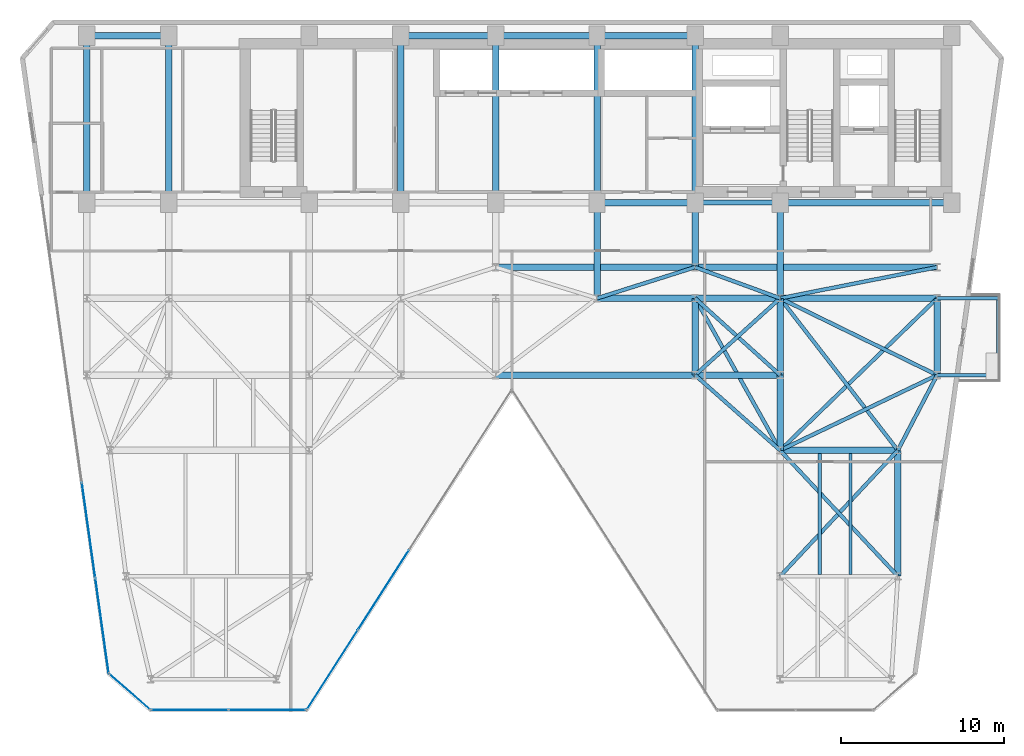
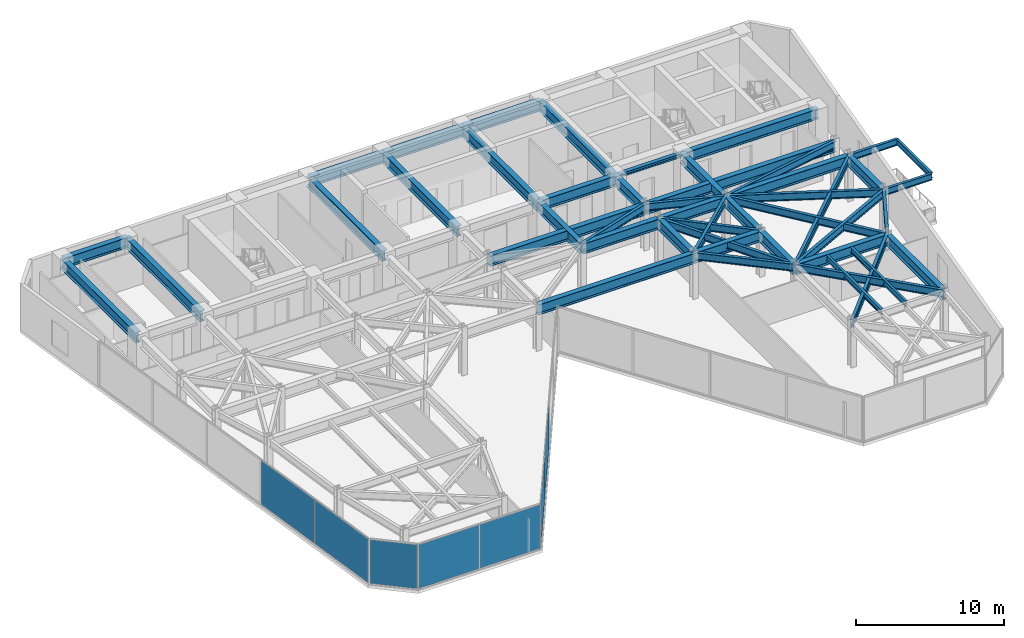
# One storey, part 20 of 26: 48 beams, 7 plates, 4 elements without a shape of their own.
"""IFC4 building model written with IfcOpenShell, lengths in metres."""

from ifc_helpers import new_model, si_unit, direction, frame, origin, origin_2d, place, context, subcontext, project, spatial, rectangle, i_section, extrude, material, layer, layer_set, material_profile, profile_set, type_object, element, aggregate, save


model = new_model("IFC4")

# Units and contexts
model_context = context("Model", 3, precision=1e-05, world=origin(), true_north=direction((0.0, 1.0)))
body_context = subcontext(model_context, "Body", "Model", "MODEL_VIEW")
ifc_project = project(units=[si_unit("LENGTHUNIT", "METRE"), si_unit("AREAUNIT", "SQUARE_METRE"), si_unit("VOLUMEUNIT", "CUBIC_METRE"), si_unit("PLANEANGLEUNIT", "RADIAN"), si_unit("MASSUNIT", "GRAM", prefix="KILO")], contexts=[model_context])

# Site, building, storey
site_placement = place(None, origin())
site = spatial("IfcSite", under=ifc_project, at=site_placement, CompositionType="ELEMENT")
building_placement = place(site_placement, origin())
building = spatial("IfcBuilding", under=site, at=building_placement, Name="Kravanh Interchange Tower", CompositionType="ELEMENT")
storey_placement = place(building_placement, frame((0.0, 0.0, 120.0)))
storey = spatial("IfcBuildingStorey", under=building, at=storey_placement, Name="L28", CompositionType="ELEMENT", Elevation=120.0)

# Beams
ifc_material_1 = material(Name="Structural Steel S355", Category="steel")
ifc_material_profile_1 = material_profile(ifc_material_1, i_section(OverallWidth=0.39990234375, OverallDepth=0.85595703125, WebThickness=0.018310546875, FlangeThickness=0.029296875, FilletRadius=0.02490234375, at=origin_2d()), Name="W33X201")
ifc_profile_set_1 = profile_set([ifc_material_profile_1], Name="Structural Steel S355")
beam_type_1 = type_object("IfcBeamType", Name="Floor Beam W33X201 Structural Steel S355", PredefinedType="BEAM", material=ifc_profile_set_1)
beam_1_placement = place(storey_placement, frame((66.5, 37.35009765625, 3.322021484375), z_axis=(-1.0, 0.0, 0.0), x_axis=(0.0, -1.0, 0.0)))
element("IfcBeam", 1, at=beam_1_placement, inside=storey, type_object=beam_type_1, Name="L28 Primary Floor Girder 5", PredefinedType="BEAM", context=body_context, shape_type="SweptSolid", body=[
    extrude(i_section(OverallWidth=0.39990234375, OverallDepth=0.85595703125, WebThickness=0.018310546875, FlangeThickness=0.029296875, FilletRadius=0.02490234375, at=origin_2d()), origin(), (0.0, 0.0, 1.0), 10.5),
])
beam_2_placement = place(storey_placement, frame((56.0, 37.35009765625, 3.322021484375), z_axis=(0.0, -1.0, 0.0), x_axis=(1.0, 0.0, 0.0)))
element("IfcBeam", 2, at=beam_2_placement, inside=storey, type_object=beam_type_1, Name="L28 Primary Floor Girder 7", PredefinedType="BEAM", context=body_context, shape_type="SweptSolid", body=[
    extrude(i_section(OverallWidth=0.39990234375, OverallDepth=0.85595703125, WebThickness=0.018310546875, FlangeThickness=0.029296875, FilletRadius=0.02490234375, at=origin_2d()), origin(), (0.0, 0.0, 1.0), 5.85009765625),
])
beam_3_placement = place(storey_placement, frame((50.800048828125, 47.550048828125, 3.322021484375), z_axis=(-1.0, 0.0, 0.0), x_axis=(0.0, -1.0, 0.0)))
element("IfcBeam", 3, at=beam_3_placement, inside=storey, type_object=beam_type_1, Name="L28 Primary Floor Girder 8", PredefinedType="BEAM", context=body_context, shape_type="SweptSolid", body=[
    extrude(i_section(OverallWidth=0.39990234375, OverallDepth=0.85595703125, WebThickness=0.018310546875, FlangeThickness=0.029296875, FilletRadius=0.02490234375, at=origin_2d()), origin(), (0.0, 0.0, 1.0), 6.0),
])
beam_4_placement = place(storey_placement, frame((50.800048828125, 47.550048828125, 3.322021484375), z_axis=(0.0, -1.0, 0.0), x_axis=(1.0, 0.0, 0.0)))
element("IfcBeam", 4, at=beam_4_placement, inside=storey, type_object=beam_type_1, Name="L28 Primary Floor Girder 9", PredefinedType="BEAM", context=body_context, shape_type="SweptSolid", body=[
    extrude(i_section(OverallWidth=0.39990234375, OverallDepth=0.85595703125, WebThickness=0.018310546875, FlangeThickness=0.029296875, FilletRadius=0.02490234375, at=origin_2d()), origin(), (0.0, 0.0, 1.0), 10.199951171875),
])
beam_5_placement = place(storey_placement, frame((50.800048828125, 37.35009765625, 3.322021484375), z_axis=(0.0, -1.0, 0.0), x_axis=(1.0, 0.0, 0.0)))
element("IfcBeam", 5, at=beam_5_placement, inside=storey, type_object=beam_type_1, Name="L28 Primary Floor Girder 10", PredefinedType="BEAM", context=body_context, shape_type="SweptSolid", body=[
    extrude(i_section(OverallWidth=0.39990234375, OverallDepth=0.85595703125, WebThickness=0.018310546875, FlangeThickness=0.029296875, FilletRadius=0.02490234375, at=origin_2d()), origin(), (0.0, 0.0, 1.0), 3.9501953125),
])
beam_6_placement = place(storey_placement, frame((50.800048828125, 37.35009765625, 3.322021484375), z_axis=(-1.0, 0.0, 0.0), x_axis=(0.0, -1.0, 0.0)))
element("IfcBeam", 6, at=beam_6_placement, inside=storey, type_object=beam_type_1, Name="L28 Primary Floor Girder 11", PredefinedType="BEAM", context=body_context, shape_type="SweptSolid", body=[
    extrude(i_section(OverallWidth=0.39990234375, OverallDepth=0.85595703125, WebThickness=0.018310546875, FlangeThickness=0.029296875, FilletRadius=0.02490234375, at=origin_2d()), origin(), (0.0, 0.0, 1.0), 6.0),
])
beam_7_placement = place(storey_placement, frame((44.800048828125, 37.35009765625, 3.322021484375), z_axis=(0.0, -1.0, 0.0), x_axis=(1.0, 0.0, 0.0)))
element("IfcBeam", 7, at=beam_7_placement, inside=storey, type_object=beam_type_1, Name="L28 Primary Floor Girder 12", PredefinedType="BEAM", context=body_context, shape_type="SweptSolid", body=[
    extrude(i_section(OverallWidth=0.39990234375, OverallDepth=0.85595703125, WebThickness=0.018310546875, FlangeThickness=0.029296875, FilletRadius=0.02490234375, at=origin_2d()), origin(), (0.0, 0.0, 1.0), 5.85009765625),
])
beam_8_placement = place(storey_placement, frame((44.800048828125, 37.35009765625, 3.322021484375), z_axis=(0.0, 1.0, 0.0), x_axis=(-1.0, 0.0, 0.0)))
element("IfcBeam", 8, at=beam_8_placement, inside=storey, type_object=beam_type_1, Name="L28 Primary Floor Girder 14", PredefinedType="BEAM", context=body_context, shape_type="SweptSolid", body=[
    extrude(i_section(OverallWidth=0.39990234375, OverallDepth=0.85595703125, WebThickness=0.018310546875, FlangeThickness=0.029296875, FilletRadius=0.02490234375, at=origin_2d()), origin(), (0.0, 0.0, 1.0), 10.199951171875),
])
beam_9_placement = place(storey_placement, frame((44.800048828125, 47.550048828125, 3.322021484375), z_axis=(-1.0, 0.0, 0.0), x_axis=(0.0, -1.0, 0.0)))
element("IfcBeam", 9, at=beam_9_placement, inside=storey, type_object=beam_type_1, Name="L28 Primary Floor Girder 15", PredefinedType="BEAM", context=body_context, shape_type="SweptSolid", body=[
    extrude(i_section(OverallWidth=0.39990234375, OverallDepth=0.85595703125, WebThickness=0.018310546875, FlangeThickness=0.029296875, FilletRadius=0.02490234375, at=origin_2d()), origin(), (0.0, 0.0, 1.0), 6.199951171875),
])
beam_10_placement = place(storey_placement, frame((38.60009765625, 37.35009765625, 3.322021484375), z_axis=(0.0, 1.0, 0.0), x_axis=(-1.0, 0.0, 0.0)))
element("IfcBeam", 10, at=beam_10_placement, inside=storey, type_object=beam_type_1, Name="L28 Primary Floor Girder 18", PredefinedType="BEAM", context=body_context, shape_type="SweptSolid", body=[
    extrude(i_section(OverallWidth=0.39990234375, OverallDepth=0.85595703125, WebThickness=0.018310546875, FlangeThickness=0.029296875, FilletRadius=0.02490234375, at=origin_2d()), origin(), (0.0, 0.0, 1.0), 10.199951171875),
])
beam_11_placement = place(storey_placement, frame((38.60009765625, 47.550048828125, 3.322021484375), z_axis=(-1.0, 0.0, 0.0), x_axis=(0.0, -1.0, 0.0)))
element("IfcBeam", 11, at=beam_11_placement, inside=storey, type_object=beam_type_1, Name="L28 Primary Floor Girder 19", PredefinedType="BEAM", context=body_context, shape_type="SweptSolid", body=[
    extrude(i_section(OverallWidth=0.39990234375, OverallDepth=0.85595703125, WebThickness=0.018310546875, FlangeThickness=0.029296875, FilletRadius=0.02490234375, at=origin_2d()), origin(), (0.0, 0.0, 1.0), 5.800048828125),
])
for number, where, z_axis, x_axis, name in (
    (12, (32.800048828125, 37.35009765625, 3.322021484375), (0.0, 1.0, 0.0), (-1.0, 0.0, 0.0), "L28 Primary Floor Girder 22"),
    (13, (18.60009765625, 37.35009765625, 3.322021484375), (0.0, 1.0, 0.0), (-1.0, 0.0, 0.0), "L28 Primary Floor Girder 30"),
):
    element("IfcBeam", number, at=place(storey_placement, frame(where, z_axis=z_axis, x_axis=x_axis)), inside=storey, type_object=beam_type_1, Name=name, PredefinedType="BEAM", context=body_context, shape_type="SweptSolid", body=[
        extrude(i_section(OverallWidth=0.39990234375, OverallDepth=0.85595703125, WebThickness=0.018310546875, FlangeThickness=0.029296875, FilletRadius=0.02490234375, at=origin_2d()), origin(), (0.0, 0.0, 1.0), 10.199951171875),
    ])
beam_12_placement = place(storey_placement, frame((18.60009765625, 47.550048828125, 3.322021484375), z_axis=(-1.0, 0.0, 0.0), x_axis=(0.0, -1.0, 0.0)))
element("IfcBeam", 14, at=beam_12_placement, inside=storey, type_object=beam_type_1, Name="L28 Primary Floor Girder 31", PredefinedType="BEAM", context=body_context, shape_type="SweptSolid", body=[
    extrude(i_section(OverallWidth=0.39990234375, OverallDepth=0.85595703125, WebThickness=0.018310546875, FlangeThickness=0.029296875, FilletRadius=0.02490234375, at=origin_2d()), origin(), (0.0, 0.0, 1.0), 5.0),
])
beam_13_placement = place(storey_placement, frame((13.60009765625, 37.35009765625, 3.322021484375), z_axis=(0.0, 1.0, 0.0), x_axis=(-1.0, 0.0, 0.0)))
element("IfcBeam", 15, at=beam_13_placement, inside=storey, type_object=beam_type_1, Name="L28 Primary Floor Girder 33", PredefinedType="BEAM", context=body_context, shape_type="SweptSolid", body=[
    extrude(i_section(OverallWidth=0.39990234375, OverallDepth=0.85595703125, WebThickness=0.018310546875, FlangeThickness=0.029296875, FilletRadius=0.02490234375, at=origin_2d()), origin(), (0.0, 0.0, 1.0), 10.199951171875),
])
beam_14_placement = place(storey_placement, frame((38.60009765625, 26.800048828125, 3.322021484375), z_axis=(1.0, 0.0, 0.0), x_axis=(0.0, 1.0, 0.0)))
element("IfcBeam", 16, at=beam_14_placement, inside=storey, type_object=beam_type_1, Name="L28 Primary Floor Girder 56", PredefinedType="BEAM", context=body_context, shape_type="SweptSolid", body=[
    extrude(i_section(OverallWidth=0.39990234375, OverallDepth=0.85595703125, WebThickness=0.018310546875, FlangeThickness=0.029296875, FilletRadius=0.02490234375, at=origin_2d()), origin(), (0.0, 0.0, 1.0), 12.199951171875),
])
beam_15_placement = place(storey_placement, frame((50.800048828125, 26.800048828125, 3.322021484375), z_axis=(0.0, 1.0, 0.0), x_axis=(-1.0, 0.0, 0.0)))
element("IfcBeam", 17, at=beam_15_placement, inside=storey, type_object=beam_type_1, Name="L28 Primary Floor Girder 57", PredefinedType="BEAM", context=body_context, shape_type="SweptSolid", body=[
    extrude(i_section(OverallWidth=0.39990234375, OverallDepth=0.85595703125, WebThickness=0.018310546875, FlangeThickness=0.029296875, FilletRadius=0.02490234375, at=origin_2d()), origin(), (0.0, 0.0, 1.0), 4.699951171875),
])
beam_16_placement = place(storey_placement, frame((50.800048828125, 26.800048828125, 3.322021484375), z_axis=(1.0, 0.0, 0.0), x_axis=(0.0, 1.0, 0.0)))
element("IfcBeam", 18, at=beam_16_placement, inside=storey, type_object=beam_type_1, Name="L28 Primary Floor Girder 58", PredefinedType="BEAM", context=body_context, shape_type="SweptSolid", body=[
    extrude(i_section(OverallWidth=0.39990234375, OverallDepth=0.85595703125, WebThickness=0.018310546875, FlangeThickness=0.029296875, FilletRadius=0.02490234375, at=origin_2d()), origin(), (0.0, 0.0, 1.0), 5.199951171875),
])
beam_17_placement = place(storey_placement, frame((56.0, 26.800048828125, 3.322021484375), z_axis=(0.0, -1.0, 0.0), x_axis=(1.0, 0.0, 0.0)))
element("IfcBeam", 19, at=beam_17_placement, inside=storey, type_object=beam_type_1, Name="L28 Primary Floor Girder 61", PredefinedType="BEAM", context=body_context, shape_type="SweptSolid", body=[
    extrude(i_section(OverallWidth=0.39990234375, OverallDepth=0.85595703125, WebThickness=0.018310546875, FlangeThickness=0.029296875, FilletRadius=0.02490234375, at=origin_2d()), origin(), (0.0, 0.0, 1.0), 4.60009765625),
])
for number, where, z_axis, x_axis, name in (
    (20, (56.0, 26.800048828125, 3.322021484375), (0.0, 1.0, 0.0), (-1.0, 0.0, 0.0), "L28 Primary Floor Girder 62"),
    (21, (65.60009765625, 26.800048828125, 3.322021484375), (0.0, 1.0, 0.0), (-1.0, 0.0, 0.0), "L28 Primary Floor Girder 65"),
):
    element("IfcBeam", number, at=place(storey_placement, frame(where, z_axis=z_axis, x_axis=x_axis)), inside=storey, type_object=beam_type_1, Name=name, PredefinedType="BEAM", context=body_context, shape_type="SweptSolid", body=[
        extrude(i_section(OverallWidth=0.39990234375, OverallDepth=0.85595703125, WebThickness=0.018310546875, FlangeThickness=0.029296875, FilletRadius=0.02490234375, at=origin_2d()), origin(), (0.0, 0.0, 1.0), 4.699951171875),
    ])
beam_18_placement = place(storey_placement, frame((44.800048828125, 31.5, 3.322021484375), z_axis=(1.0, 0.0, 0.0), x_axis=(0.0, 1.0, 0.0)))
element("IfcBeam", 22, at=beam_18_placement, inside=storey, type_object=beam_type_1, Name="L28 Primary Floor Girder 83", PredefinedType="BEAM", context=body_context, shape_type="SweptSolid", body=[
    extrude(i_section(OverallWidth=0.39990234375, OverallDepth=0.85595703125, WebThickness=0.018310546875, FlangeThickness=0.029296875, FilletRadius=0.02490234375, at=origin_2d()), origin(), (0.0, 0.0, 1.0), 6.0),
])
beam_19_placement = place(storey_placement, frame((50.800048828125, 31.5, 3.322021484375), z_axis=(1.0, 0.0, 0.0), x_axis=(0.0, 1.0, 0.0)))
element("IfcBeam", 23, at=beam_19_placement, inside=storey, type_object=beam_type_1, Name="L28 Primary Floor Girder 86", PredefinedType="BEAM", context=body_context, shape_type="SweptSolid", body=[
    extrude(i_section(OverallWidth=0.39990234375, OverallDepth=0.85595703125, WebThickness=0.018310546875, FlangeThickness=0.029296875, FilletRadius=0.02490234375, at=origin_2d()), origin(), (0.0, 0.0, 1.0), 5.199951171875),
])
beam_20_placement = place(storey_placement, frame((56.0, 31.5, 3.322021484375), z_axis=(1.0, 0.0, 0.0), x_axis=(0.0, 1.0, 0.0)))
element("IfcBeam", 24, at=beam_20_placement, inside=storey, type_object=beam_type_1, Name="L28 Primary Floor Girder 90", PredefinedType="BEAM", context=body_context, shape_type="SweptSolid", body=[
    extrude(i_section(OverallWidth=0.39990234375, OverallDepth=0.85595703125, WebThickness=0.018310546875, FlangeThickness=0.029296875, FilletRadius=0.02490234375, at=origin_2d()), origin(), (0.0, 0.0, 1.0), 9.60009765625),
])
beam_21_placement = place(storey_placement, frame((63.199951171875, 14.5, 3.322021484375), z_axis=(0.0, 1.0, 0.0), x_axis=(-1.0, 0.0, 0.0)))
element("IfcBeam", 25, at=beam_21_placement, inside=storey, type_object=beam_type_1, Name="L28 Primary Floor Girder 106", PredefinedType="BEAM", context=body_context, shape_type="SweptSolid", body=[
    extrude(i_section(OverallWidth=0.39990234375, OverallDepth=0.85595703125, WebThickness=0.018310546875, FlangeThickness=0.029296875, FilletRadius=0.02490234375, at=origin_2d()), origin(), (0.0, 0.0, 1.0), 7.699951171875),
])
beam_22_placement = place(storey_placement, frame((56.0, 22.199951171875, 3.322021484375), z_axis=(1.0, 0.0, 0.0), x_axis=(0.0, 1.0, 0.0)))
element("IfcBeam", 26, at=beam_22_placement, inside=storey, type_object=beam_type_1, Name="L28 Primary Floor Girder 109", PredefinedType="BEAM", context=body_context, shape_type="SweptSolid", body=[
    extrude(i_section(OverallWidth=0.39990234375, OverallDepth=0.85595703125, WebThickness=0.018310546875, FlangeThickness=0.029296875, FilletRadius=0.02490234375, at=origin_2d()), origin(), (0.0, 0.0, 1.0), 7.199951171875),
])
beam_23_placement = place(storey_placement, frame((38.60009765625, 33.39990234375, 3.322021484375), z_axis=(1.0, 0.0, 0.0), x_axis=(0.0, 1.0, 0.0)))
element("IfcBeam", 27, at=beam_23_placement, inside=storey, type_object=beam_type_1, Name="L28 Primary Floor Girder 111", PredefinedType="BEAM", context=body_context, shape_type="SweptSolid", body=[
    extrude(i_section(OverallWidth=0.39990234375, OverallDepth=0.85595703125, WebThickness=0.018310546875, FlangeThickness=0.029296875, FilletRadius=0.02490234375, at=origin_2d()), origin(), (0.0, 0.0, 1.0), 12.199951171875),
])
beam_24_placement = place(storey_placement, frame((50.800048828125, 33.39990234375, 3.322021484375), z_axis=(1.0, 0.0, 0.0), x_axis=(0.0, 1.0, 0.0)))
element("IfcBeam", 28, at=beam_24_placement, inside=storey, type_object=beam_type_1, Name="L28 Primary Floor Girder 112", PredefinedType="BEAM", context=body_context, shape_type="SweptSolid", body=[
    extrude(i_section(OverallWidth=0.39990234375, OverallDepth=0.85595703125, WebThickness=0.018310546875, FlangeThickness=0.029296875, FilletRadius=0.02490234375, at=origin_2d()), origin(), (0.0, 0.0, 1.0), 14.800048828125),
])
ifc_material_2 = material(Name="Structural Steel S355", Category="steel")
ifc_material_profile_2 = material_profile(ifc_material_2, i_section(OverallWidth=0.18994140625, OverallDepth=0.45703125, WebThickness=0.009033203125, FlangeThickness=0.014404296875, FilletRadius=0.01806640625, at=origin_2d()), Name="W18X50")
ifc_profile_set_2 = profile_set([ifc_material_profile_2], Name="Structural Steel S355")
beam_type_2 = type_object("IfcBeamType", Name="Floor Joist W18X50 Structural Steel S355", PredefinedType="JOIST", material=ifc_profile_set_2)
for number, where, z_axis, x_axis, name in (
    (29, (58.419921875, 14.60888671875, 3.521484375), (0.0, 1.0, 0.0), (-1.0, 0.0, 0.0), "L28 Secondary Floor Joist 7"),
    (30, (60.30810546875, 14.60888671875, 3.521484375), (0.0, 1.0, 0.0), (-1.0, 0.0, 0.0), "L28 Secondary Floor Joist 8"),
):
    element("IfcBeam", number, at=place(storey_placement, frame(where, z_axis=z_axis, x_axis=x_axis)), inside=storey, type_object=beam_type_2, Name=name, PredefinedType="JOIST", context=body_context, shape_type="SweptSolid", body=[
        extrude(i_section(OverallWidth=0.18994140625, OverallDepth=0.45703125, WebThickness=0.009033203125, FlangeThickness=0.014404296875, FilletRadius=0.01806640625, at=origin_2d()), origin(), (0.0, 0.0, 1.0), 7.39599609375),
    ])
beam_25_placement = place(storey_placement, frame((69.330078125, 26.800048828125, 3.521484375), z_axis=(0.0, 1.0, 0.0), x_axis=(-1.0, 0.0, 0.0)))
element("IfcBeam", 31, at=beam_25_placement, inside=storey, type_object=beam_type_2, Name="L28 Balcony Edge Tie Beam E", PredefinedType="JOIST", context=body_context, shape_type="SweptSolid", body=[
    extrude(i_section(OverallWidth=0.18994140625, OverallDepth=0.45703125, WebThickness=0.009033203125, FlangeThickness=0.014404296875, FilletRadius=0.01806640625, at=origin_2d()), origin(), (0.0, 0.0, 1.0), 4.699951171875),
])
ifc_material_3 = material(Name="Structural Steel S355", Category="steel")
ifc_material_profile_3 = material_profile(ifc_material_3, i_section(OverallWidth=0.304931640625, OverallDepth=0.306884765625, WebThickness=0.010009765625, FlangeThickness=0.015380859375, FilletRadius=0.014892578125, at=origin_2d()), Name="W12X65")
ifc_profile_set_3 = profile_set([ifc_material_profile_3], Name="Structural Steel S355")
beam_type_3 = type_object("IfcBeamType", Name="Floor Lintel W12X65 Structural Steel S355", PredefinedType="LINTEL", material=ifc_profile_set_3)
beam_26_placement = place(storey_placement, frame((50.800048828125, 37.35009765625, 3.596435546875), z_axis=(1.0, 0.0, 0.0), x_axis=(0.0, 1.0, 0.0)))
element("IfcBeam", 32, at=beam_26_placement, inside=storey, type_object=beam_type_3, Name="L28 Core Coupling Lintel 1", PredefinedType="LINTEL", context=body_context, shape_type="SweptSolid", body=[
    extrude(i_section(OverallWidth=0.304931640625, OverallDepth=0.306884765625, WebThickness=0.010009765625, FlangeThickness=0.015380859375, FilletRadius=0.014892578125, at=origin_2d()), origin(), (0.0, 0.0, 1.0), 5.199951171875),
])
ifc_material_4 = material(Name="Structural Steel S355", Category="steel")
ifc_material_profile_4 = material_profile(ifc_material_4, i_section(OverallWidth=0.2099609375, OverallDepth=0.537109375, WebThickness=0.010986328125, FlangeThickness=0.017333984375, FilletRadius=0.02001953125, at=origin_2d()), Name="W21X68")
ifc_profile_set_4 = profile_set([ifc_material_profile_4], Name="Structural Steel S355")
beam_type_4 = type_object("IfcBeamType", Name="Floor Spandrel W21X68 Structural Steel S355", PredefinedType="SPANDREL", material=ifc_profile_set_4)
for number, where, z_axis, x_axis, name in (
    (33, (65.60009765625, 26.800048828125, 3.4814453125), (1.0, 0.0, 0.0), (0.0, 1.0, 0.0), "L28 Balcony Cantilever Outrigger E1"),
    (34, (65.60009765625, 31.5, 3.4814453125), (1.0, 0.0, 0.0), (0.0, 1.0, 0.0), "L28 Balcony Cantilever Outrigger E2"),
):
    element("IfcBeam", number, at=place(storey_placement, frame(where, z_axis=z_axis, x_axis=x_axis)), inside=storey, type_object=beam_type_4, Name=name, PredefinedType="SPANDREL", context=body_context, shape_type="SweptSolid", body=[
        extrude(i_section(OverallWidth=0.2099609375, OverallDepth=0.537109375, WebThickness=0.010986328125, FlangeThickness=0.017333984375, FilletRadius=0.02001953125, at=origin_2d()), origin(), (0.0, 0.0, 1.0), 3.72998046875),
    ])
ifc_material_5 = material(Name="Structural Steel S355", Category="steel")
ifc_material_profile_5 = material_profile(ifc_material_5, i_section(OverallWidth=0.22802734375, OverallDepth=0.60791015625, WebThickness=0.01123046875, FlangeThickness=0.017333984375, FilletRadius=0.02197265625, at=origin_2d()), Name="W24X76")
ifc_profile_set_5 = profile_set([ifc_material_profile_5], Name="Structural Steel S355")
beam_type_5 = type_object("IfcBeamType", Name="Floor Spandrel W24X76 Structural Steel S355", PredefinedType="SPANDREL", material=ifc_profile_set_5)
beam_27_placement = place(storey_placement, frame((50.800048828125, 26.800048828125, 3.446044921875), z_axis=(0.74898649432, -0.662585263439, 0.0), x_axis=(0.662585263439, 0.74898649432, 0.0)))
element("IfcBeam", 35, at=beam_27_placement, inside=storey, type_object=beam_type_5, Name="L28 Perimeter Spandrel 59", PredefinedType="SPANDREL", context=body_context, shape_type="SweptSolid", body=[
    extrude(i_section(OverallWidth=0.22802734375, OverallDepth=0.60791015625, WebThickness=0.01123046875, FlangeThickness=0.017333984375, FilletRadius=0.02197265625, at=origin_2d()), origin(), (0.0, 0.0, 1.0), 6.942626953125),
])
for number, where, z_axis, x_axis, name in (
    (36, (50.800048828125, 26.800048828125, 3.446044921875), (0.741874009795, 0.670539300557, 0.0), (-0.670539300557, 0.741874009795, 0.0), "L28 Perimeter Spandrel 60"),
    (37, (56.0, 26.800048828125, 3.446044921875), (-0.741874009795, 0.670539300557, 0.0), (-0.670539300557, -0.741874009795, 0.0), "L28 Perimeter Spandrel 63"),
):
    element("IfcBeam", number, at=place(storey_placement, frame(where, z_axis=z_axis, x_axis=x_axis)), inside=storey, type_object=beam_type_5, Name=name, PredefinedType="SPANDREL", context=body_context, shape_type="SweptSolid", body=[
        extrude(i_section(OverallWidth=0.22802734375, OverallDepth=0.60791015625, WebThickness=0.01123046875, FlangeThickness=0.017333984375, FilletRadius=0.02197265625, at=origin_2d()), origin(), (0.0, 0.0, 1.0), 7.00927734375),
    ])
beam_28_placement = place(storey_placement, frame((65.60009765625, 26.800048828125, 3.446044921875), z_axis=(-0.462580479178, -0.886577295155, 0.0), x_axis=(0.886577295155, -0.462580479178, 0.0)))
element("IfcBeam", 38, at=beam_28_placement, inside=storey, type_object=beam_type_5, Name="L28 Perimeter Spandrel 66", PredefinedType="SPANDREL", context=body_context, shape_type="SweptSolid", body=[
    extrude(i_section(OverallWidth=0.22802734375, OverallDepth=0.60791015625, WebThickness=0.01123046875, FlangeThickness=0.017333984375, FilletRadius=0.02197265625, at=origin_2d()), origin(), (0.0, 0.0, 1.0), 5.188720703125),
])
beam_29_placement = place(storey_placement, frame((65.60009765625, 26.800048828125, 3.446044921875), z_axis=(-0.901814166789, -0.432124066188, 0.0), x_axis=(0.432124066188, -0.901814166789, 0.0)))
element("IfcBeam", 39, at=beam_29_placement, inside=storey, type_object=beam_type_5, Name="L28 Perimeter Spandrel 67", PredefinedType="SPANDREL", context=body_context, shape_type="SweptSolid", body=[
    extrude(i_section(OverallWidth=0.22802734375, OverallDepth=0.60791015625, WebThickness=0.01123046875, FlangeThickness=0.017333984375, FilletRadius=0.02197265625, at=origin_2d()), origin(), (0.0, 0.0, 1.0), 10.645263671875),
])
beam_30_placement = place(storey_placement, frame((65.60009765625, 26.800048828125, 3.446044921875), z_axis=(-0.898141688387, 0.439706160499, 0.0), x_axis=(-0.439706160499, -0.898141688387, 0.0)))
element("IfcBeam", 40, at=beam_30_placement, inside=storey, type_object=beam_type_5, Name="L28 Perimeter Spandrel 68", PredefinedType="SPANDREL", context=body_context, shape_type="SweptSolid", body=[
    extrude(i_section(OverallWidth=0.22802734375, OverallDepth=0.60791015625, WebThickness=0.01123046875, FlangeThickness=0.017333984375, FilletRadius=0.02197265625, at=origin_2d()), origin(), (0.0, 0.0, 1.0), 10.68896484375),
])
beam_31_placement = place(storey_placement, frame((44.800048828125, 31.5, 3.446044921875), z_axis=(0.953346691051, 0.301877602122, 0.0), x_axis=(-0.301877602122, 0.953346691051, 0.0)))
element("IfcBeam", 41, at=beam_31_placement, inside=storey, type_object=beam_type_5, Name="L28 Perimeter Spandrel 84", PredefinedType="SPANDREL", context=body_context, shape_type="SweptSolid", body=[
    extrude(i_section(OverallWidth=0.22802734375, OverallDepth=0.60791015625, WebThickness=0.01123046875, FlangeThickness=0.017333984375, FilletRadius=0.02197265625, at=origin_2d()), origin(), (0.0, 0.0, 1.0), 6.293701171875),
])
beam_32_placement = place(storey_placement, frame((50.800048828125, 31.5, 3.446044921875), z_axis=(0.488026248114, -0.872828952975, 0.0), x_axis=(0.872828952975, 0.488026248114, 0.0)))
element("IfcBeam", 42, at=beam_32_placement, inside=storey, type_object=beam_type_5, Name="L28 Perimeter Spandrel 87", PredefinedType="SPANDREL", context=body_context, shape_type="SweptSolid", body=[
    extrude(i_section(OverallWidth=0.22802734375, OverallDepth=0.60791015625, WebThickness=0.01123046875, FlangeThickness=0.017333984375, FilletRadius=0.02197265625, at=origin_2d()), origin(), (0.0, 0.0, 1.0), 10.655029296875),
])
beam_33_placement = place(storey_placement, frame((56.0, 31.5, 3.446044921875), z_axis=(-0.93926957103, 0.343180233896, 0.0), x_axis=(-0.343180233896, -0.93926957103, 0.0)))
element("IfcBeam", 43, at=beam_33_placement, inside=storey, type_object=beam_type_5, Name="L28 Perimeter Spandrel 89", PredefinedType="SPANDREL", context=body_context, shape_type="SweptSolid", body=[
    extrude(i_section(OverallWidth=0.22802734375, OverallDepth=0.60791015625, WebThickness=0.01123046875, FlangeThickness=0.017333984375, FilletRadius=0.02197265625, at=origin_2d()), origin(), (0.0, 0.0, 1.0), 5.5361328125),
])
beam_34_placement = place(storey_placement, frame((56.0, 31.5, 3.446044921875), z_axis=(0.980974000807, 0.194139150457, 0.0), x_axis=(-0.194139150457, 0.980974000807, 0.0)))
element("IfcBeam", 44, at=beam_34_placement, inside=storey, type_object=beam_type_5, Name="L28 Perimeter Spandrel 91", PredefinedType="SPANDREL", context=body_context, shape_type="SweptSolid", body=[
    extrude(i_section(OverallWidth=0.22802734375, OverallDepth=0.60791015625, WebThickness=0.01123046875, FlangeThickness=0.017333984375, FilletRadius=0.02197265625, at=origin_2d()), origin(), (0.0, 0.0, 1.0), 9.786376953125),
])
beam_35_placement = place(storey_placement, frame((56.0, 31.5, 3.446044921875), z_axis=(0.612168587637, -0.790727273028, 0.0), x_axis=(0.790727273028, 0.612168587637, 0.0)))
element("IfcBeam", 45, at=beam_35_placement, inside=storey, type_object=beam_type_5, Name="L28 Perimeter Spandrel 92", PredefinedType="SPANDREL", context=body_context, shape_type="SweptSolid", body=[
    extrude(i_section(OverallWidth=0.22802734375, OverallDepth=0.60791015625, WebThickness=0.01123046875, FlangeThickness=0.017333984375, FilletRadius=0.02197265625, at=origin_2d()), origin(), (0.0, 0.0, 1.0), 11.761474609375),
])
beam_36_placement = place(storey_placement, frame((65.60009765625, 31.5, 3.446044921875), z_axis=(-0.718241934329, -0.695793449072, 0.0), x_axis=(0.695793449072, -0.718241934329, 0.0)))
element("IfcBeam", 46, at=beam_36_placement, inside=storey, type_object=beam_type_5, Name="L28 Perimeter Spandrel 94", PredefinedType="SPANDREL", context=body_context, shape_type="SweptSolid", body=[
    extrude(i_section(OverallWidth=0.22802734375, OverallDepth=0.60791015625, WebThickness=0.01123046875, FlangeThickness=0.017333984375, FilletRadius=0.02197265625, at=origin_2d()), origin(), (0.0, 0.0, 1.0), 13.3662109375),
])
for number, where, z_axis, x_axis, name in (
    (47, (56.0, 14.5, 3.446044921875), (0.682993762113, 0.73042420614, 0.0), (-0.73042420614, 0.682993762113, 0.0), "L28 Perimeter Spandrel 105"),
    (48, (63.199951171875, 14.5, 3.446044921875), (-0.682993762113, 0.73042420614, 0.0), (-0.73042420614, -0.682993762113, 0.0), "L28 Perimeter Spandrel 107"),
):
    element("IfcBeam", number, at=place(storey_placement, frame(where, z_axis=z_axis, x_axis=x_axis)), inside=storey, type_object=beam_type_5, Name=name, PredefinedType="SPANDREL", context=body_context, shape_type="SweptSolid", body=[
        extrude(i_section(OverallWidth=0.22802734375, OverallDepth=0.60791015625, WebThickness=0.01123046875, FlangeThickness=0.017333984375, FilletRadius=0.02197265625, at=origin_2d()), origin(), (0.0, 0.0, 1.0), 10.541748046875),
    ])

# Curtain wall, plates
ifc_material_6 = material(Name="Anodised Bronze Aluminium", Category="aluminium")
ifc_layer_1 = layer(ifc_material_6, 0.179931640625)
ifc_layer_set_1 = layer_set([ifc_layer_1], Name="Unitised Curtain Wall System CW-Z2 Mid Office")
curtain_wall_type = type_object("IfcCurtainWallType", Name="Unitised Curtain Wall System CW-Z2 Mid Office", PredefinedType="NOTDEFINED", material=ifc_layer_set_1)
curtain_wall_1_placement = place(storey_placement, origin())
curtain_wall_1 = element("IfcCurtainWall", 49, at=curtain_wall_1_placement, inside=storey, type_object=curtain_wall_type, Name="L28 Unitised Curtain Wall CW-L28-01", PredefinedType="NOTDEFINED")
ifc_material_7 = material(Name="Low-E Laminated Architectural Glass", Category="glass")
ifc_layer_2 = layer(ifc_material_7, 0.02587890625)
ifc_layer_set_2 = layer_set([ifc_layer_2], Name="Solar-Control Double Glazing 26mm")
plate_type = type_object("IfcPlateType", Name="Solar-Control Double Glazing 26mm", PredefinedType="CURTAIN_PANEL", material=ifc_layer_set_2)
plate_1_placement = place(storey_placement, frame((14.524169921875, 11.479736328125, 0.06005859375), z_axis=(0.0, 0.0, 1.0), x_axis=(-0.13917285118, 0.990268103846, 0.0)))
plate_1 = element("IfcPlate", 50, at=plate_1_placement, type_object=plate_type, Name="CW-Z2 panel 1.1", PredefinedType="CURTAIN_PANEL", context=body_context, shape_type="SweptSolid", body=[
    extrude(rectangle(XDim=5.81982421875, YDim=0.02587890625, at=origin_2d()), origin(), (0.0, 0.0, 1.0), 3.6298828125),
])
plate_2_placement = place(storey_placement, frame((13.70361328125, 17.317138671875, 0.06005859375), z_axis=(0.0, 0.0, 1.0), x_axis=(-0.13917285118, 0.990268103846, 0.0)))
plate_2 = element("IfcPlate", 51, at=plate_2_placement, type_object=plate_type, Name="CW-Z2 panel 2.1", PredefinedType="CURTAIN_PANEL", context=body_context, shape_type="SweptSolid", body=[
    extrude(rectangle(XDim=5.849853515625, YDim=0.02587890625, at=origin_2d()), origin(), (0.0, 0.0, 1.0), 3.6298828125),
])
aggregate(curtain_wall_1, [plate_1, plate_2])

curtain_wall_2_placement = place(storey_placement, origin())
curtain_wall_2 = element("IfcCurtainWall", 52, at=curtain_wall_2_placement, inside=storey, type_object=curtain_wall_type, Name="L28 Unitised Curtain Wall CW-L28-05", PredefinedType="NOTDEFINED")
plate_3_placement = place(storey_placement, frame((31.74658203125, 13.6708984375, 0.06005859375), z_axis=(0.0, 0.0, 1.0), x_axis=(-0.539664865919, -0.841879939476, 0.0)))
plate_3 = element("IfcPlate", 53, at=plate_3_placement, type_object=plate_type, Name="CW-Z2 panel 3.1", PredefinedType="CURTAIN_PANEL", context=body_context, shape_type="SweptSolid", body=[
    extrude(rectangle(XDim=5.760986328125, YDim=0.02587890625, at=origin_2d()), origin(), (0.0, 0.0, 1.0), 3.6298828125),
])
plate_4_placement = place(storey_placement, frame((28.61328125, 8.782958984375, 0.06005859375), z_axis=(0.0, 0.0, 1.0), x_axis=(-0.539664865919, -0.841879939476, 0.0)))
plate_4 = element("IfcPlate", 54, at=plate_4_placement, type_object=plate_type, Name="CW-Z2 panel 4.1", PredefinedType="CURTAIN_PANEL", context=body_context, shape_type="SweptSolid", body=[
    extrude(rectangle(XDim=5.73095703125, YDim=0.02587890625, at=origin_2d()), origin(), (0.0, 0.0, 1.0), 3.6298828125),
])
aggregate(curtain_wall_2, [plate_3, plate_4])

curtain_wall_3_placement = place(storey_placement, origin())
curtain_wall_3 = element("IfcCurtainWall", 55, at=curtain_wall_3_placement, inside=storey, type_object=curtain_wall_type, Name="L28 Unitised Curtain Wall CW-L28-06", PredefinedType="NOTDEFINED")
plate_5_placement = place(storey_placement, frame((24.63330078125, 6.320068359375, 0.06005859375), z_axis=(0.0, 0.0, 1.0), x_axis=(-1.0, 0.0, 0.0)))
plate_5 = element("IfcPlate", 56, at=plate_5_placement, type_object=plate_type, Name="CW-Z2 panel 1.1", PredefinedType="CURTAIN_PANEL", context=body_context, shape_type="SweptSolid", body=[
    extrude(rectangle(XDim=4.682373046875, YDim=0.02587890625, at=origin_2d()), origin(), (0.0, 0.0, 1.0), 3.6298828125),
])
plate_6_placement = place(storey_placement, frame((19.890869140625, 6.320068359375, 0.06005859375), z_axis=(0.0, 0.0, 1.0), x_axis=(-1.0, 0.0, 0.0)))
plate_6 = element("IfcPlate", 57, at=plate_6_placement, type_object=plate_type, Name="CW-Z2 panel 2.1", PredefinedType="CURTAIN_PANEL", context=body_context, shape_type="SweptSolid", body=[
    extrude(rectangle(XDim=4.682373046875, YDim=0.02587890625, at=origin_2d()), origin(), (0.0, 0.0, 1.0), 3.6298828125),
])
aggregate(curtain_wall_3, [plate_5, plate_6])

# Curtain wall, plate
curtain_wall_4_placement = place(storey_placement, origin())
curtain_wall_4 = element("IfcCurtainWall", 58, at=curtain_wall_4_placement, inside=storey, type_object=curtain_wall_type, Name="L28 Unitised Curtain Wall CW-L28-07", PredefinedType="NOTDEFINED")
plate_7_placement = place(storey_placement, frame((16.213623046875, 7.429443359375, 0.06005859375), z_axis=(0.0, 0.0, 1.0), x_axis=(-0.754719458103, 0.656047665617, 0.0)))
plate_7 = element("IfcPlate", 59, at=plate_7_placement, type_object=plate_type, Name="CW-Z2 panel 1.1", PredefinedType="CURTAIN_PANEL", context=body_context, shape_type="SweptSolid", body=[
    extrude(rectangle(XDim=3.261962890625, YDim=0.02587890625, at=origin_2d()), origin(), (0.0, 0.0, 1.0), 3.6298828125),
])
aggregate(curtain_wall_4, [plate_7])

save(model, "model.ifc")
